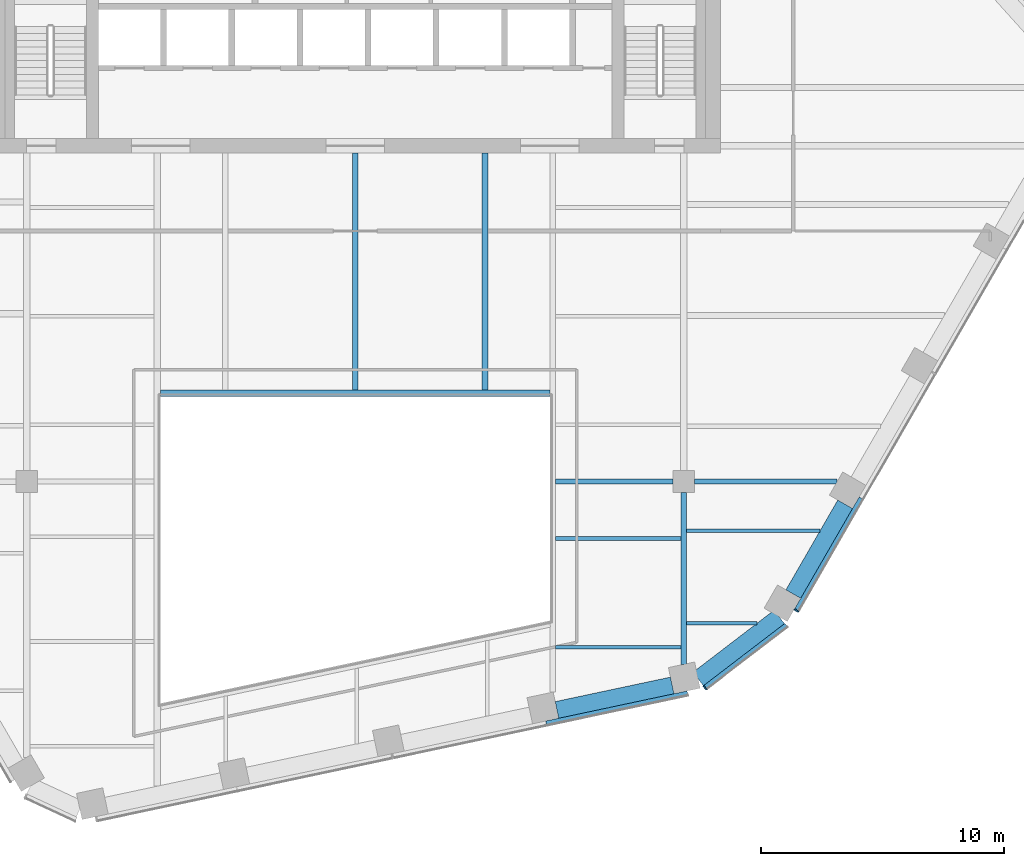
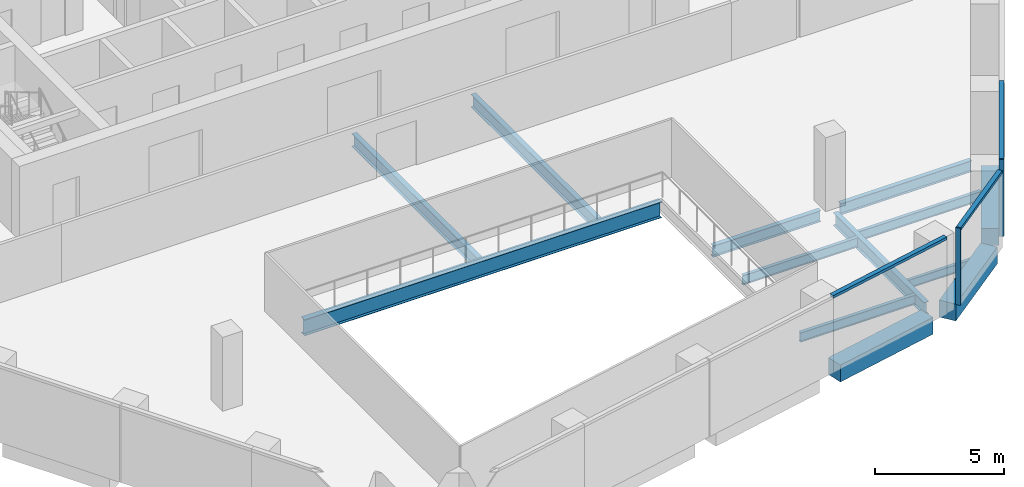
# One storey, part 4 of 15: 13 beams, 5 members, 3 elements without a shape of their own.
"""IFC4 building model written with IfcOpenShell, lengths in metres."""

import ifcopenshell
import ifcopenshell.guid

model = None  # the IFC model being written
_history = None  # IfcOwnerHistory: only IFC2X3 demands one
_inside = {}  # id of a spatial element -> (the spatial element, [elements in it])
_under = {}  # id of a project, library or spatial element -> (it, [spatial elements below it])
_declared = {}  # id of a project -> (the project, [libraries it declares])
_typed = {}  # id of a type object -> (the type object, [elements of that type])
_made_of = {}  # id of a material, layer set ... -> (it, [elements and type objects made of it])


def new_model(schema):
    """Start an empty IFC model of exactly this schema.

    Asked for "IFC4X3", IfcOpenShell would pick the latest addendum, in which some entities
    have other attributes; the version numbers below select the first issue.
    IFC2X3 requires an IfcOwnerHistory on every rooted entity: one is made here for all.
    """
    global model, _history
    if schema == "IFC4X3":
        model = ifcopenshell.file(schema_version=(4, 3, 0, 0))
    else:
        model = ifcopenshell.file(schema=schema)
    _inside.clear()
    _under.clear()
    _declared.clear()
    _typed.clear()
    _made_of.clear()
    _history = None
    if model.schema == "IFC2X3":
        org = make("IfcOrganization", Name="unknown")
        user = make(
            "IfcPersonAndOrganization",
            ThePerson=make("IfcPerson", FamilyName="unknown"),
            TheOrganization=org,
        )
        app = make(
            "IfcApplication",
            ApplicationDeveloper=org,
            Version="unknown",
            ApplicationFullName="unknown",
            ApplicationIdentifier="unknown",
        )
        _history = make(
            "IfcOwnerHistory",
            OwningUser=user,
            OwningApplication=app,
            ChangeAction="ADDED",
            CreationDate=0,
        )
    return model


def make(cls, **values):
    """One entity of the class cls with the attributes given. An attribute that is None is left unset."""
    return model.create_entity(
        cls, **{name: value for name, value in values.items() if value is not None}
    )


def rooted(cls, **values):
    """An entity with a GlobalId (a new one), such as an element, a storey or a relation."""
    return make(cls, GlobalId=ifcopenshell.guid.new(), OwnerHistory=_history, **values)


def si_unit(unit_type, name, prefix=None):
    """IfcSIUnit, for example si_unit("LENGTHUNIT", "METRE", prefix="MILLI")."""
    return make("IfcSIUnit", UnitType=unit_type, Prefix=prefix, Name=name)


def assignment(units):
    """IfcUnitAssignment: the units of a project."""
    return None if units is None else make("IfcUnitAssignment", Units=units)


def point(xyz):
    """IfcCartesianPoint."""
    return None if xyz is None else make("IfcCartesianPoint", Coordinates=xyz)


def direction(xyz):
    """IfcDirection."""
    return None if xyz is None else make("IfcDirection", DirectionRatios=xyz)


def frame(location, z_axis=None, x_axis=None):
    """IfcAxis2Placement3D, a coordinate frame: its origin and axes. An axis left out is left unset."""
    return make(
        "IfcAxis2Placement3D",
        Location=point(location),
        Axis=direction(z_axis),
        RefDirection=direction(x_axis),
    )


def frame_2d(location, x_axis=None):
    """IfcAxis2Placement2D, a coordinate frame in the plane: its origin and x axis."""
    return make(
        "IfcAxis2Placement2D", Location=point(location), RefDirection=direction(x_axis)
    )


def origin():
    """The frame at (0, 0, 0) with its axes left unset."""
    return frame((0.0, 0.0, 0.0))


def origin_2d():
    """The frame at (0, 0) in the plane with its x axis left unset."""
    return frame_2d((0.0, 0.0))


def place(relative_to, where):
    """IfcLocalPlacement: puts the frame where relative to a parent placement (None: the world)."""
    return make(
        "IfcLocalPlacement", PlacementRelTo=relative_to, RelativePlacement=where
    )


def context(
    kind, dimensions, precision=None, world=None, true_north=None, identifier=None
):
    """IfcGeometricRepresentationContext, for example the 3D "Model" context."""
    return make(
        "IfcGeometricRepresentationContext",
        ContextIdentifier=identifier,
        ContextType=kind,
        CoordinateSpaceDimension=dimensions,
        Precision=precision,
        WorldCoordinateSystem=world,
        TrueNorth=true_north,
    )


def subcontext(parent, identifier, kind, view, scale=None):
    """IfcGeometricRepresentationSubContext, for example "Body" below "Model"."""
    return make(
        "IfcGeometricRepresentationSubContext",
        ContextIdentifier=identifier,
        ContextType=kind,
        ParentContext=parent,
        TargetScale=scale,
        TargetView=view,
    )


def project(units=None, contexts=None):
    """IfcProject with its units and contexts."""
    return rooted(
        "IfcProject",
        Name="project",
        RepresentationContexts=contexts,
        UnitsInContext=assignment(units),
    )


def spatial(cls, under=None, at=None, **own):
    """A site, building, storey or space (cls), placed at a placement, below another one or the project."""
    s = rooted(cls, ObjectPlacement=at, **own)
    if under is not None:
        _under.setdefault(under.id(), (under, []))[1].append(s)
    return s


def profile(cls, at=None, kind="AREA", **sizes):
    """A parametric profile (cls). Its sizes go by their IFC names, for example OverallWidth=200.0."""
    return make(cls, ProfileType=kind, Position=at, **sizes)


def rectangle(**sizes):
    """IfcRectangleProfileDef."""
    return profile("IfcRectangleProfileDef", **sizes)


def i_section(**sizes):
    """IfcIShapeProfileDef."""
    return profile("IfcIShapeProfileDef", **sizes)


def extrude(swept, where, along, depth):
    """IfcExtrudedAreaSolid: the profile swept, set in the frame where, extruded along a direction by depth."""
    return make(
        "IfcExtrudedAreaSolid",
        SweptArea=swept,
        Position=where,
        ExtrudedDirection=direction(along),
        Depth=depth,
    )


def shape(context_of_items, identifier, shape_type, items):
    """IfcShapeRepresentation: the items that make up one representation, for example the "Body"."""
    return make(
        "IfcShapeRepresentation",
        ContextOfItems=context_of_items,
        RepresentationIdentifier=identifier,
        RepresentationType=shape_type,
        Items=items,
    )


def material(Name=None, Category=None):
    """IfcMaterial."""
    return make("IfcMaterial", Name=Name, Category=Category)


def layer(
    of_material, thickness, ventilated=None, Name=None, Category=None, Priority=None
):
    """IfcMaterialLayer: one layer of a wall or slab, of a material (None: an air gap)."""
    return make(
        "IfcMaterialLayer",
        Material=of_material,
        LayerThickness=thickness,
        IsVentilated=ventilated,
        Name=Name,
        Category=Category,
        Priority=Priority,
    )


def layer_set(layers, Name=None):
    """IfcMaterialLayerSet."""
    return make("IfcMaterialLayerSet", MaterialLayers=layers, LayerSetName=Name)


def material_profile(
    of_material, cross_section, Name=None, Category=None, Priority=None
):
    """IfcMaterialProfile: a cross section and its material."""
    return make(
        "IfcMaterialProfile",
        Name=Name,
        Material=of_material,
        Profile=cross_section,
        Priority=Priority,
        Category=Category,
    )


def profile_set(profiles, Name=None, composite=None):
    """IfcMaterialProfileSet."""
    return make(
        "IfcMaterialProfileSet",
        Name=Name,
        MaterialProfiles=profiles,
        CompositeProfile=composite,
    )


def made_of(thing, what):
    """Note that an element or type object is made of a material, layer set ...; save() writes the relation."""
    if what is not None:
        _made_of.setdefault(what.id(), (what, []))[1].append(thing)
    return thing


def type_object(cls, material=None, **own):
    """A type object (cls), such as IfcWallType, which elements share."""
    return made_of(rooted(cls, **own), material)


def element(
    cls,
    number,
    at=None,
    inside=None,
    cuts=None,
    type_object=None,
    material=None,
    context=None,
    identifier="Body",
    shape_type=None,
    held_by="IfcProductDefinitionShape",
    body=None,
    shapes=None,
    **own,
):
    """One element of the class cls, such as IfcWall. Its Tag is "e" and its number.

    at: its placement. inside: the storey or other place that contains it. cuts: it is an
    opening in that element (IfcRelVoidsElement). A single representation is given by context,
    identifier, shape_type and body (its items); several are given by shapes. held_by: the class
    of the entity that holds the representations. save() writes the other relations.
    """
    e = rooted(cls, Tag="e%d" % number, ObjectPlacement=at, **own)
    if body is not None:
        shapes = [shape(context, identifier, shape_type, body)]
    if shapes is not None:
        e.Representation = make(held_by, Representations=shapes)
    if inside is not None:
        _inside.setdefault(inside.id(), (inside, []))[1].append(e)
    if cuts is not None:
        rooted(
            "IfcRelVoidsElement", RelatingBuildingElement=cuts, RelatedOpeningElement=e
        )
    if type_object is not None:
        _typed.setdefault(type_object.id(), (type_object, []))[1].append(e)
    return made_of(e, material)


def aggregate(whole, parts):
    """IfcRelAggregates: a whole, such as a stair, and the parts it consists of."""
    return rooted("IfcRelAggregates", RelatingObject=whole, RelatedObjects=parts)


def save(model, path):
    """Write the relations noted so far, then the file.

    IfcRelAggregates (storeys below a building ...), IfcRelContainedInSpatialStructure (elements
    in a storey), IfcRelDefinesByType, IfcRelAssociatesMaterial and IfcRelDeclares: one each for
    every whole, place, type object, material and project.
    """
    for whole, parts in _under.values():
        aggregate(whole, parts)
    for where, things in _inside.values():
        rooted(
            "IfcRelContainedInSpatialStructure",
            RelatedElements=things,
            RelatingStructure=where,
        )
    for kind, things in _typed.values():
        rooted("IfcRelDefinesByType", RelatedObjects=things, RelatingType=kind)
    for what, things in _made_of.values():
        rooted("IfcRelAssociatesMaterial", RelatedObjects=things, RelatingMaterial=what)
    for by, libraries in _declared.values():
        rooted("IfcRelDeclares", RelatingContext=by, RelatedDefinitions=libraries)
    model.write(path)


model = new_model("IFC4")

# Units and contexts
model_context = context("Model", 3, precision=1e-05, world=origin(), true_north=direction((0.0, 1.0)))
body_context = subcontext(model_context, "Body", "Model", "MODEL_VIEW")
ifc_project = project(units=[si_unit("LENGTHUNIT", "METRE"), si_unit("AREAUNIT", "SQUARE_METRE"), si_unit("VOLUMEUNIT", "CUBIC_METRE"), si_unit("PLANEANGLEUNIT", "RADIAN"), si_unit("MASSUNIT", "GRAM", prefix="KILO")], contexts=[model_context])

# Site, building, storey
site_placement = place(None, origin())
site = spatial("IfcSite", under=ifc_project, at=site_placement, CompositionType="ELEMENT")
building_placement = place(site_placement, origin())
building = spatial("IfcBuilding", under=site, at=building_placement, Name="Isthmus Gate Tower", CompositionType="ELEMENT")
storey_placement = place(building_placement, frame((0.0, 0.0, 223.60009765625)))
storey = spatial("IfcBuildingStorey", under=building, at=storey_placement, Name="L56", CompositionType="ELEMENT", Elevation=223.60009765625)

# Curtain wall, member
ifc_material_1 = material(Name="Aluminium, pale champagne anodised", Category="aluminium")
ifc_layer = layer(ifc_material_1, 0.199951171875)
ifc_layer_set = layer_set([ifc_layer], Name="CW-1 UNITISED CURTAIN WALL 200 DEEP")
curtain_wall_type = type_object("IfcCurtainWallType", Name="CW-1 UNITISED CURTAIN WALL 200 DEEP", PredefinedType="NOTDEFINED", material=ifc_layer_set)
curtain_wall_1_placement = place(storey_placement, origin())
curtain_wall_1 = element("IfcCurtainWall", 1, at=curtain_wall_1_placement, inside=storey, type_object=curtain_wall_type, Name="CW-1 S-SE L56", PredefinedType="NOTDEFINED")
ifc_material_2 = material(Name="Aluminium, pale champagne anodised", Category="aluminium")
ifc_material_profile_1 = material_profile(ifc_material_2, rectangle(XDim=0.06005859375, YDim=0.199951171875, at=origin_2d()), Name="60x200")
ifc_profile_set_1 = profile_set([ifc_material_profile_1], Name="Aluminium, pale champagne anodised")
member_type_1 = type_object("IfcMemberType", Name="CW-1 MULLION 60 X 200", PredefinedType="MULLION", material=ifc_profile_set_1)
member_1_placement = place(storey_placement, frame((14.3720703125, -21.961669921875, 0.0), z_axis=(0.0, 0.0, 1.0), x_axis=(0.794188594387, 0.607671355706, 0.0)))
member_1 = element("IfcMember", 2, at=member_1_placement, type_object=member_type_1, Name="CW-1 mullion", PredefinedType="MULLION", context=body_context, shape_type="SweptSolid", body=[
    extrude(rectangle(XDim=0.06005859375, YDim=0.199951171875, at=origin_2d()), origin(), (0.0, 0.0, 1.0), 3.64990234375),
])

curtain_wall_2_placement = place(storey_placement, origin())
curtain_wall_2 = element("IfcCurtainWall", 3, at=curtain_wall_2_placement, inside=storey, type_object=curtain_wall_type, Name="CW-1 SE L56", PredefinedType="NOTDEFINED")
member_2_placement = place(storey_placement, frame((18.131591796875, -18.794921875, 0.0), z_axis=(0.0, 0.0, 1.0), x_axis=(0.5, 0.866025403784, 0.0)))
member_2 = element("IfcMember", 4, at=member_2_placement, type_object=member_type_1, Name="CW-1 mullion", PredefinedType="MULLION", context=body_context, shape_type="SweptSolid", body=[
    extrude(rectangle(XDim=0.06005859375, YDim=0.199951171875, at=origin_2d()), origin(), (0.0, 0.0, 1.0), 3.64990234375),
])

curtain_wall_3_placement = place(storey_placement, origin())
curtain_wall_3 = element("IfcCurtainWall", 5, at=curtain_wall_3_placement, inside=storey, type_object=curtain_wall_type, Name="CW-1 S L56", PredefinedType="NOTDEFINED")
ifc_material_3 = material(Name="Aluminium, pale champagne anodised", Category="aluminium")
ifc_material_profile_2 = material_profile(ifc_material_3, rectangle(XDim=0.199951171875, YDim=0.1298828125, at=origin_2d()), Name="200x130")
ifc_profile_set_2 = profile_set([ifc_material_profile_2], Name="Aluminium, pale champagne anodised")
member_type_2 = type_object("IfcMemberType", Name="CW-1 TRANSOM 200 X 130", PredefinedType="USERDEFINED", material=ifc_profile_set_2)
member_3_placement = place(storey_placement, frame((7.844970703125, -23.434814453125, 3.5849609375), z_axis=(0.978148616043, 0.207906914105, 0.0), x_axis=(-0.207906914105, 0.978148616043, 0.0)))
member_3 = element("IfcMember", 6, at=member_3_placement, type_object=member_type_2, Name="CW-1 transom", ObjectType="TRANSOM", PredefinedType="USERDEFINED", context=body_context, shape_type="SweptSolid", body=[
    extrude(rectangle(XDim=0.199951171875, YDim=0.1298828125, at=origin_2d()), origin(), (0.0, 0.0, 1.0), 5.94189453125),
])
aggregate(curtain_wall_3, [member_3])

# Member
member_4_placement = place(storey_placement, frame((14.39599609375, -21.943603515625, 3.5849609375), z_axis=(0.794175498212, 0.607688471209, 0.0), x_axis=(-0.607688471209, 0.794175498212, 0.0)))
member_4 = element("IfcMember", 7, at=member_4_placement, type_object=member_type_2, Name="CW-1 transom", ObjectType="TRANSOM", PredefinedType="USERDEFINED", context=body_context, shape_type="SweptSolid", body=[
    extrude(rectangle(XDim=0.199951171875, YDim=0.1298828125, at=origin_2d()), origin(), (0.0, 0.0, 1.0), 4.181396484375),
])

aggregate(curtain_wall_1, [member_1, member_4])

member_5_placement = place(storey_placement, frame((18.146728515625, -18.76904296875, 3.5849609375), z_axis=(0.499968318869, 0.866043694121, 0.0), x_axis=(-0.866043694121, 0.499968318869, 0.0)))
member_5 = element("IfcMember", 8, at=member_5_placement, type_object=member_type_2, Name="CW-1 transom", ObjectType="TRANSOM", PredefinedType="USERDEFINED", context=body_context, shape_type="SweptSolid", body=[
    extrude(rectangle(XDim=0.199951171875, YDim=0.1298828125, at=origin_2d()), origin(), (0.0, 0.0, 1.0), 5.300537109375),
])

aggregate(curtain_wall_2, [member_2, member_5])

# Beams
ifc_material_4 = material(Name="Concrete f'c 50 MPa", Category="concrete")
ifc_material_profile_3 = material_profile(ifc_material_4, rectangle(XDim=0.699951171875, YDim=0.800048828125, at=origin_2d()), Name="RC 700X800")
ifc_profile_set_3 = profile_set([ifc_material_profile_3], Name="Concrete f'c 50 MPa")
beam_type_1 = type_object("IfcBeamType", Name="RC SPANDREL 700 X 800", PredefinedType="SPANDREL", material=ifc_profile_set_3)
beam_1_placement = place(storey_placement, frame((20.13232421875, -14.429931640625, -0.400146484375), z_axis=(-0.500021719575, -0.866012863619, 0.0), x_axis=(0.866012863619, -0.500021719575, 0.0)))
element("IfcBeam", 9, at=beam_1_placement, inside=storey, type_object=beam_type_1, Name="str-spandrel-L56-09", PredefinedType="SPANDREL", context=body_context, shape_type="SweptSolid", body=[
    extrude(rectangle(XDim=0.699951171875, YDim=0.800048828125, at=origin_2d()), origin(), (0.0, 0.0, 1.0), 4.260498046875),
])
beam_2_placement = place(storey_placement, frame((17.4267578125, -19.057861328125, -0.400146484375), z_axis=(-0.794182771845, -0.60767896533, 0.0), x_axis=(0.60767896533, -0.794182771845, 0.0)))
element("IfcBeam", 10, at=beam_2_placement, inside=storey, type_object=beam_type_1, Name="str-spandrel-L56-10", PredefinedType="SPANDREL", context=body_context, shape_type="SweptSolid", body=[
    extrude(rectangle(XDim=0.699951171875, YDim=0.800048828125, at=origin_2d()), origin(), (0.0, 0.0, 1.0), 4.19677734375),
])
beam_3_placement = place(storey_placement, frame((13.025390625, -21.87353515625, -0.400146484375), z_axis=(-0.978151545833, -0.207893129722, 0.0), x_axis=(0.207893129722, -0.978151545833, 0.0)))
element("IfcBeam", 11, at=beam_3_placement, inside=storey, type_object=beam_type_1, Name="str-spandrel-L56-11", PredefinedType="SPANDREL", context=body_context, shape_type="SweptSolid", body=[
    extrude(rectangle(XDim=0.699951171875, YDim=0.800048828125, at=origin_2d()), origin(), (0.0, 0.0, 1.0), 4.841796875),
])
ifc_material_5 = material(Name="Structural steel ASTM A992 Gr 50", Category="steel")
ifc_material_profile_4 = material_profile(ifc_material_5, i_section(OverallWidth=0.1396484375, OverallDepth=0.4033203125, WebThickness=0.00634765625, FlangeThickness=0.010986328125, at=origin_2d()), Name="W16X31")
ifc_profile_set_4 = profile_set([ifc_material_profile_4], Name="Structural steel ASTM A992 Gr 50")
beam_type_2 = type_object("IfcBeamType", Name="STEEL FLOOR BEAM W16X31", PredefinedType="JOIST", material=ifc_profile_set_4)
beam_4_placement = place(storey_placement, frame((13.6142578125, -19.322998046875, -0.351806640625), z_axis=(1.0, 0.0, 0.0), x_axis=(0.0, 1.0, 0.0)))
element("IfcBeam", 12, at=beam_4_placement, inside=storey, type_object=beam_type_2, Name="str-beam-L56-11-00", PredefinedType="JOIST", context=body_context, shape_type="SweptSolid", body=[
    extrude(i_section(OverallWidth=0.1396484375, OverallDepth=0.4033203125, WebThickness=0.00634765625, FlangeThickness=0.010986328125, at=origin_2d()), origin(), (0.0, 0.0, 1.0), 2.889892578125),
])
ifc_material_6 = material(Name="Structural steel ASTM A992 Gr 50", Category="steel")
ifc_material_profile_5 = material_profile(ifc_material_6, i_section(OverallWidth=0.15234375, OverallDepth=0.45068359375, WebThickness=0.0078125, FlangeThickness=0.010986328125, at=origin_2d()), Name="W18X35")
ifc_profile_set_5 = profile_set([ifc_material_profile_5], Name="Structural steel ASTM A992 Gr 50")
beam_type_3 = type_object("IfcBeamType", Name="STEEL FLOOR BEAM W18X35", PredefinedType="JOIST", material=ifc_profile_set_5)
for number, where, z_axis, x_axis, name in (
    (13, (8.228515625, -20.3046875, -0.37548828125), (1.0, 0.0, 0.0), (0.0, 1.0, 0.0), "str-beam-L56-09-00"),
    (14, (8.228515625, -15.838134765625, -0.37548828125), (1.0, 0.0, 0.0), (0.0, 1.0, 0.0), "str-beam-L56-09-01"),
):
    element("IfcBeam", number, at=place(storey_placement, frame(where, z_axis=z_axis, x_axis=x_axis)), inside=storey, type_object=beam_type_3, Name=name, PredefinedType="JOIST", context=body_context, shape_type="SweptSolid", body=[
        extrude(i_section(OverallWidth=0.15234375, OverallDepth=0.45068359375, WebThickness=0.0078125, FlangeThickness=0.010986328125, at=origin_2d()), origin(), (0.0, 0.0, 1.0), 5.1572265625),
    ])
beam_5_placement = place(storey_placement, frame((13.6142578125, -15.5107421875, -0.37548828125), z_axis=(1.0, 0.0, 0.0), x_axis=(0.0, 1.0, 0.0)))
element("IfcBeam", 15, at=beam_5_placement, inside=storey, type_object=beam_type_3, Name="str-beam-L56-11-01", PredefinedType="JOIST", context=body_context, shape_type="SweptSolid", body=[
    extrude(i_section(OverallWidth=0.15234375, OverallDepth=0.45068359375, WebThickness=0.0078125, FlangeThickness=0.010986328125, at=origin_2d()), origin(), (0.0, 0.0, 1.0), 5.48974609375),
])
ifc_material_7 = material(Name="Structural steel ASTM A992 Gr 50", Category="steel")
ifc_material_profile_6 = material_profile(ifc_material_7, i_section(OverallWidth=0.228515625, OverallDepth=0.603271484375, WebThickness=0.010986328125, FlangeThickness=0.014404296875, at=origin_2d()), Name="W24X68")
ifc_profile_set_6 = profile_set([ifc_material_profile_6], Name="Structural steel ASTM A992 Gr 50")
beam_type_4 = type_object("IfcBeamType", Name="STEEL FLOOR BEAM W24X68", PredefinedType="JOIST", material=ifc_profile_set_6)
for number, where, z_axis, x_axis, name in (
    (16, (0.0, -9.7333984375, -0.45166015625), (0.0, 1.0, 0.0), (-1.0, 0.0, 0.0), "str-beam-L56-07-01"),
    (17, (5.333251953125, -9.7333984375, -0.45166015625), (0.0, 1.0, 0.0), (-1.0, 0.0, 0.0), "str-beam-L56-07-02"),
):
    element("IfcBeam", number, at=place(storey_placement, frame(where, z_axis=z_axis, x_axis=x_axis)), inside=storey, type_object=beam_type_4, Name=name, PredefinedType="JOIST", context=body_context, shape_type="SweptSolid", body=[
        extrude(i_section(OverallWidth=0.228515625, OverallDepth=0.603271484375, WebThickness=0.010986328125, FlangeThickness=0.014404296875, at=origin_2d()), origin(), (0.0, 0.0, 1.0), 9.7333984375),
    ])
ifc_material_8 = material(Name="Structural steel ASTM A992 Gr 50", Category="steel")
ifc_material_profile_7 = material_profile(ifc_material_8, i_section(OverallWidth=0.20947265625, OverallDepth=0.533447265625, WebThickness=0.009521484375, FlangeThickness=0.015869140625, at=origin_2d()), Name="W21X62")
ifc_profile_set_7 = profile_set([ifc_material_profile_7], Name="Structural steel ASTM A992 Gr 50")
beam_type_5 = type_object("IfcBeamType", Name="STEEL GIRDER W21X62", PredefinedType="BEAM", material=ifc_profile_set_7)
beam_6_placement = place(storey_placement, frame((8.228515625, -13.5, -0.416748046875), z_axis=(1.0, 0.0, 0.0), x_axis=(0.0, 1.0, 0.0)))
element("IfcBeam", 18, at=beam_6_placement, inside=storey, type_object=beam_type_5, Name="str-girder-L56-03", PredefinedType="BEAM", context=body_context, shape_type="SweptSolid", body=[
    extrude(i_section(OverallWidth=0.20947265625, OverallDepth=0.533447265625, WebThickness=0.009521484375, FlangeThickness=0.015869140625, at=origin_2d()), origin(), (0.0, 0.0, 1.0), 4.821533203125),
])
beam_7_placement = place(storey_placement, frame((13.949951171875, -13.5, -0.416748046875), z_axis=(1.0, 0.0, 0.0), x_axis=(0.0, 1.0, 0.0)))
element("IfcBeam", 19, at=beam_7_placement, inside=storey, type_object=beam_type_5, Name="str-girder-L56-04", PredefinedType="BEAM", context=body_context, shape_type="SweptSolid", body=[
    extrude(i_section(OverallWidth=0.20947265625, OverallDepth=0.533447265625, WebThickness=0.009521484375, FlangeThickness=0.015869140625, at=origin_2d()), origin(), (0.0, 0.0, 1.0), 5.853271484375),
])
ifc_material_9 = material(Name="Structural steel ASTM A992 Gr 50", Category="steel")
ifc_material_profile_8 = material_profile(ifc_material_9, i_section(OverallWidth=0.228515625, OverallDepth=0.603271484375, WebThickness=0.010986328125, FlangeThickness=0.014404296875, at=origin_2d()), Name="W24X68")
ifc_profile_set_8 = profile_set([ifc_material_profile_8], Name="Structural steel ASTM A992 Gr 50")
beam_type_6 = type_object("IfcBeamType", Name="STEEL GIRDER W24X68", PredefinedType="BEAM", material=ifc_profile_set_8)
beam_8_placement = place(storey_placement, frame((13.5, -21.005859375, -0.45166015625), z_axis=(0.0, 1.0, 0.0), x_axis=(-1.0, 0.0, 0.0)))
element("IfcBeam", 20, at=beam_8_placement, inside=storey, type_object=beam_type_6, Name="str-girder-L56-07", PredefinedType="BEAM", context=body_context, shape_type="SweptSolid", body=[
    extrude(i_section(OverallWidth=0.228515625, OverallDepth=0.603271484375, WebThickness=0.010986328125, FlangeThickness=0.014404296875, at=origin_2d()), origin(), (0.0, 0.0, 1.0), 7.055908203125),
])
ifc_material_10 = material(Name="Structural steel ASTM A992 Gr 50", Category="steel")
ifc_material_profile_9 = material_profile(ifc_material_10, i_section(OverallWidth=0.2666015625, OverallDepth=0.7587890625, WebThickness=0.014404296875, FlangeThickness=0.01904296875, at=origin_2d()), Name="W30X108")
ifc_profile_set_9 = profile_set([ifc_material_profile_9], Name="Structural steel ASTM A992 Gr 50")
beam_type_7 = type_object("IfcBeamType", Name="STEEL TRIMMER W30X108", PredefinedType="BEAM", material=ifc_profile_set_9)
beam_9_placement = place(storey_placement, frame((8.0, -9.86669921875, -0.529541015625), z_axis=(-1.0, 0.0, 0.0), x_axis=(0.0, -1.0, 0.0)))
element("IfcBeam", 21, at=beam_9_placement, inside=storey, type_object=beam_type_7, Name="str-trimmer-L56-04", PredefinedType="BEAM", context=body_context, shape_type="SweptSolid", body=[
    extrude(i_section(OverallWidth=0.2666015625, OverallDepth=0.7587890625, WebThickness=0.014404296875, FlangeThickness=0.01904296875, at=origin_2d()), origin(), (0.0, 0.0, 1.0), 16.0),
])

save(model, "model.ifc")
